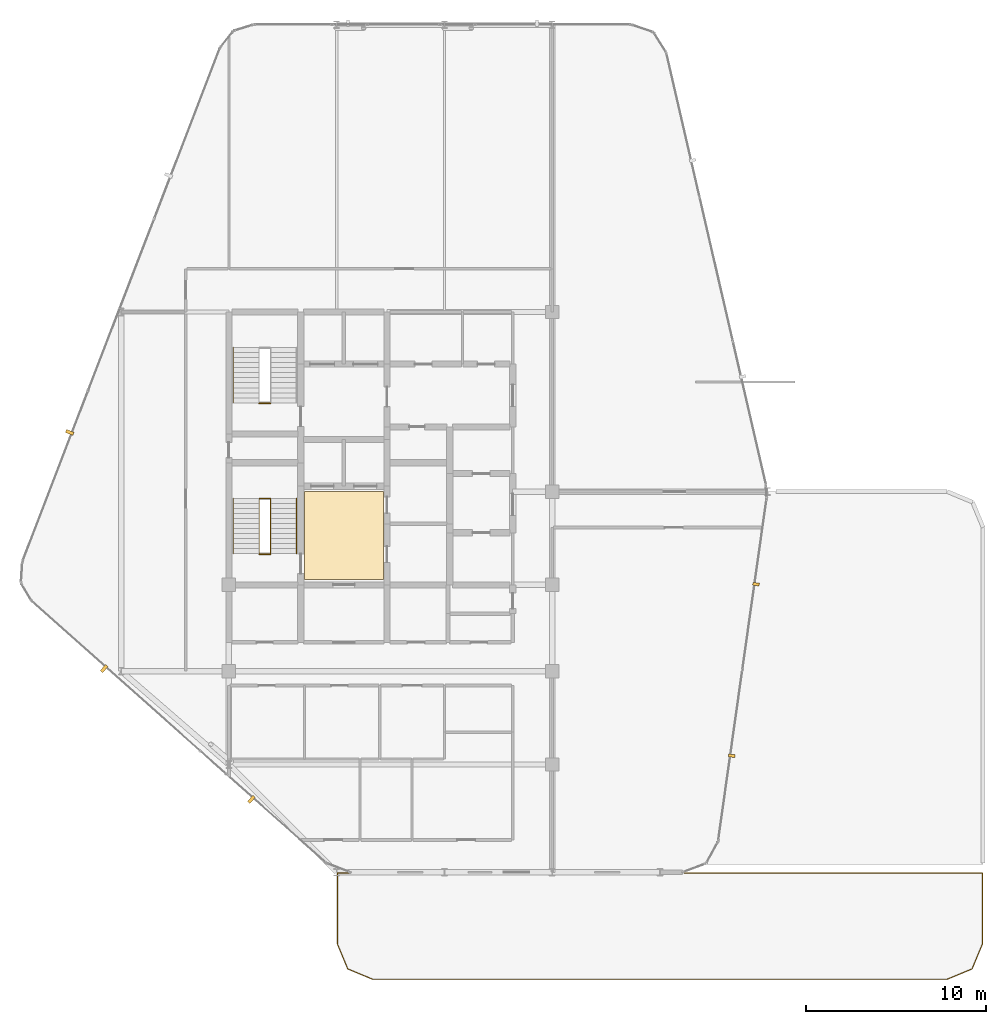
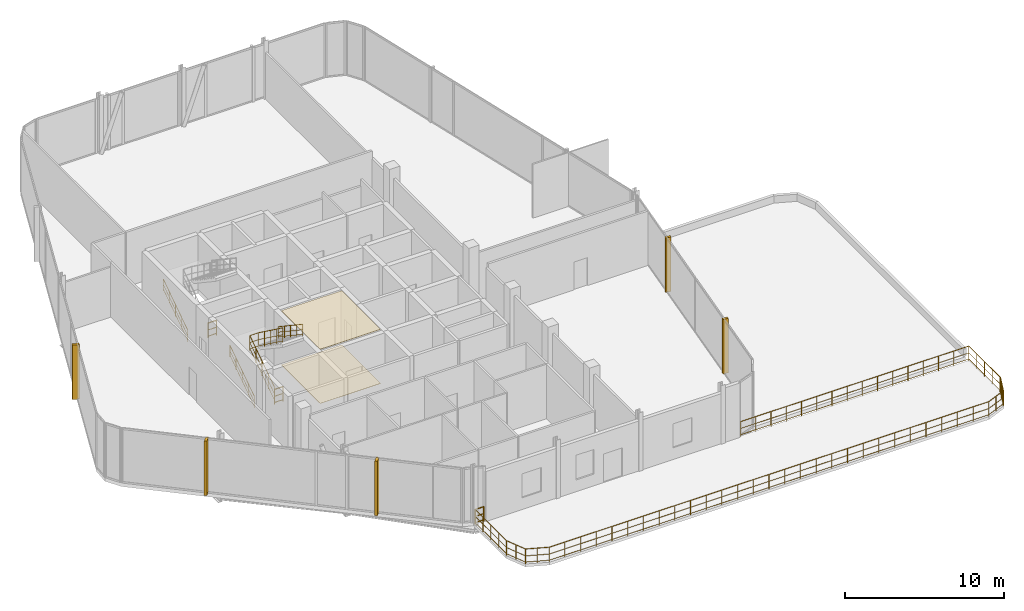
# One storey, part 23 of 24: 15 railings, 7 coverings.
"""IFC4 building model written with IfcOpenShell, lengths in metres."""

from ifc_helpers import new_model, si_unit, direction, frame, origin, origin_2d, place, context, subcontext, project, spatial, polyline, rectangle, circle, outline, extrude, material, layer, layer_set, type_object, element, save


model = new_model("IFC4")

# Units and contexts
model_context = context("Model", 3, precision=1e-05, world=origin(), true_north=direction((0.0, 1.0)))
body_context = subcontext(model_context, "Body", "Model", "MODEL_VIEW")
ifc_project = project(units=[si_unit("LENGTHUNIT", "METRE"), si_unit("AREAUNIT", "SQUARE_METRE"), si_unit("VOLUMEUNIT", "CUBIC_METRE"), si_unit("PLANEANGLEUNIT", "RADIAN"), si_unit("MASSUNIT", "GRAM", prefix="KILO")], contexts=[model_context])

# Site, building, storey
site_placement = place(None, origin())
site = spatial("IfcSite", under=ifc_project, at=site_placement, CompositionType="ELEMENT")
building_placement = place(site_placement, origin())
building = spatial("IfcBuilding", under=site, at=building_placement, Name="Keshet Zoharim Tower", CompositionType="ELEMENT")
storey_placement = place(building_placement, frame((0.0, 0.0, 242.800048828125)))
storey = spatial("IfcBuildingStorey", under=building, at=storey_placement, Name="L60", CompositionType="ELEMENT", Elevation=242.800048828125)

# Coverings
ifc_material_1 = material(Name="Gypsum Plasterboard", Category="gypsum")
ifc_layer_1 = layer(ifc_material_1, 0.02490234375)
ifc_layer_set_1 = layer_set([ifc_layer_1], Name="Gypsum Plasterboard")
covering_type_1 = type_object("IfcCoveringType", Name="CV-CLG-025", PredefinedType="CEILING", material=ifc_layer_set_1)
covering_1_placement = place(storey_placement, frame((0.0, 0.0, 4.1650390625)))
element("IfcCovering", 1, at=covering_1_placement, inside=storey, type_object=covering_type_1, Name="L60 Core Lobby Acoustic Ceiling", PredefinedType="CEILING", context=body_context, shape_type="SweptSolid", body=[
    extrude(outline(polyline([(19.199951171875, 23.0), (23.60009765625, 23.0), (23.60009765625, 27.89990234375), (19.199951171875, 27.89990234375), (19.199951171875, 23.0)])), origin(), (0.0, 0.0, 1.0), 0.02490234375),
])
ifc_material_2 = material(Name="Porcelain Ceramic Tile", Category="ceramic")
ifc_layer_2 = layer(ifc_material_2, 0.02001953125)
ifc_layer_set_2 = layer_set([ifc_layer_2], Name="Porcelain Ceramic Tile")
covering_type_2 = type_object("IfcCoveringType", Name="CV-FLR-020", PredefinedType="FLOORING", material=ifc_layer_set_2)
covering_2_placement = place(storey_placement, origin())
element("IfcCovering", 2, at=covering_2_placement, inside=storey, type_object=covering_type_2, Name="L60 Core Lobby Porcelain Flooring", PredefinedType="FLOORING", context=body_context, shape_type="SweptSolid", body=[
    extrude(outline(polyline([(19.199951171875, 23.0), (23.60009765625, 23.0), (23.60009765625, 27.89990234375), (19.199951171875, 27.89990234375), (19.199951171875, 23.0)])), origin(), (0.0, 0.0, 1.0), 0.02001953125),
])
ifc_material_3 = material(Name="Concrete C50/60 precast", Category="concrete")
covering_type_3 = type_object("IfcCoveringType", Name="FIN-SOL-360", PredefinedType="CLADDING", material=ifc_material_3)
for number, where, z_axis, x_axis, name in (
    (3, (44.35107421875, 22.742919921875, 0.0), (0.0, 0.0, 1.0), (-0.140137464177, -0.990132057422, 0.0), "L60 Vertical Precast Solar Fin 07"),
    (4, (42.998046875, 13.18701171875, 0.0), (0.0, 0.0, 1.0), (-0.140137464177, -0.990132057422, 0.0), "L60 Vertical Precast Solar Fin 08"),
):
    element("IfcCovering", number, at=place(storey_placement, frame(where, z_axis=z_axis, x_axis=x_axis)), inside=storey, type_object=covering_type_3, Name=name, PredefinedType="CLADDING", context=body_context, shape_type="SweptSolid", body=[
        extrude(rectangle(XDim=0.159912109375, YDim=0.360107421875, at=origin_2d()), origin(), (0.0, 0.0, 1.0), 4.18994140625),
    ])
covering_type_4 = type_object("IfcCoveringType", Name="FIN-SOL-450", PredefinedType="CLADDING", material=ifc_material_3)
for number, where, z_axis, x_axis, name in (
    (5, (6.133056640625, 31.194091796875, 0.0), (0.0, 0.0, 1.0), (0.358990003907, 0.933341404361, 0.0), "L60 Vertical Precast Solar Fin 01"),
    (6, (16.25, 10.7548828125, 0.0), (0.0, 0.0, 1.0), (-0.747411833563, 0.66436100958, 0.0), "L60 Vertical Precast Solar Fin 09"),
    (7, (8.051025390625, 18.04296875, 0.0), (0.0, 0.0, 1.0), (-0.747411833563, 0.66436100958, 0.0), "L60 Vertical Precast Solar Fin 10"),
):
    element("IfcCovering", number, at=place(storey_placement, frame(where, z_axis=z_axis, x_axis=x_axis)), inside=storey, type_object=covering_type_4, Name=name, PredefinedType="CLADDING", context=body_context, shape_type="SweptSolid", body=[
        extrude(rectangle(XDim=0.179931640625, YDim=0.449951171875, at=origin_2d()), origin(), (0.0, 0.0, 1.0), 4.18994140625),
    ])

# Railings
ifc_material_4 = material(Name="Steel S355", Category="steel")
ifc_layer_3 = layer(ifc_material_4, 0.050048828125)
ifc_layer_set_3 = layer_set([ifc_layer_3], Name="Steel S355")
railing_type_1 = type_object("IfcRailingType", Name="RL-HND-092", PredefinedType="HANDRAIL", material=ifc_layer_set_3)
railing_1_placement = place(storey_placement, frame((15.239990234375, 24.43994140625, 0.1875)))
element("IfcRailing", 8, at=railing_1_placement, inside=storey, type_object=railing_type_1, Name="L60 ST-01 Flight 1 Wall Handrail", PredefinedType="HANDRAIL", context=body_context, shape_type="SweptSolid", body=[
    extrude(circle(Radius=0.02392578125, at=origin_2d()), frame((0.0, 0.0, 0.89599609375), z_axis=(0.0, 0.830913701846, 0.55640131208), x_axis=(-1.0, 0.0, 0.0)), (0.0, 0.0, 1.0), 3.706787109375),
    extrude(circle(Radius=0.01611328125, at=origin_2d()), frame((0.0, 0.0, 0.478271484375), z_axis=(0.0, 0.830913701846, 0.55640131208), x_axis=(-1.0, 0.0, 0.0)), (0.0, 0.0, 1.0), 3.706787109375),
    extrude(circle(Radius=0.01611328125, at=origin_2d()), frame((0.0, 0.0, 0.1201171875), z_axis=(0.0, 0.830913701846, 0.55640131208), x_axis=(-1.0, 0.0, 0.0)), (0.0, 0.0, 1.0), 3.706787109375),
    extrude(circle(Radius=0.02099609375, at=origin_2d()), origin(), (0.0, 0.0, 1.0), 0.871826171875),
    extrude(circle(Radius=0.02099609375, at=origin_2d()), frame((0.0, 0.77001953125, 0.515625)), (0.0, 0.0, 1.0), 0.871826171875),
    extrude(circle(Radius=0.02099609375, at=origin_2d()), frame((0.0, 1.5400390625, 1.03125)), (0.0, 0.0, 1.0), 0.871826171875),
    extrude(circle(Radius=0.02099609375, at=origin_2d()), frame((0.0, 2.31005859375, 1.546875)), (0.0, 0.0, 1.0), 0.871826171875),
    extrude(circle(Radius=0.02099609375, at=origin_2d()), frame((0.0, 3.080078125, 2.0625)), (0.0, 0.0, 1.0), 0.871826171875),
])
railing_2_placement = place(storey_placement, frame((18.760009765625, 27.52001953125, 2.4375)))
element("IfcRailing", 9, at=railing_2_placement, inside=storey, type_object=railing_type_1, Name="L60 ST-01 Flight 2 Wall Handrail", PredefinedType="HANDRAIL", context=body_context, shape_type="SweptSolid", body=[
    extrude(circle(Radius=0.02392578125, at=origin_2d()), frame((0.0, 0.0, 0.89599609375), z_axis=(0.0, -0.830913701846, 0.55640131208), x_axis=(1.0, 0.0, 0.0)), (0.0, 0.0, 1.0), 3.706787109375),
    extrude(circle(Radius=0.01611328125, at=origin_2d()), frame((0.0, 0.0, 0.478271484375), z_axis=(0.0, -0.830913701846, 0.55640131208), x_axis=(1.0, 0.0, 0.0)), (0.0, 0.0, 1.0), 3.706787109375),
    extrude(circle(Radius=0.01611328125, at=origin_2d()), frame((0.0, 0.0, 0.1201171875), z_axis=(0.0, -0.830913701846, 0.55640131208), x_axis=(1.0, 0.0, 0.0)), (0.0, 0.0, 1.0), 3.706787109375),
    extrude(circle(Radius=0.02099609375, at=origin_2d()), origin(), (0.0, 0.0, 1.0), 0.871826171875),
    extrude(circle(Radius=0.02099609375, at=origin_2d()), frame((0.0, -0.77001953125, 0.515625)), (0.0, 0.0, 1.0), 0.871826171875),
    extrude(circle(Radius=0.02099609375, at=origin_2d()), frame((0.0, -1.5400390625, 1.03125)), (0.0, 0.0, 1.0), 0.871826171875),
    extrude(circle(Radius=0.02099609375, at=origin_2d()), frame((0.0, -2.31005859375, 1.546875)), (0.0, 0.0, 1.0), 0.871826171875),
    extrude(circle(Radius=0.02099609375, at=origin_2d()), frame((0.0, -3.080078125, 2.0625)), (0.0, 0.0, 1.0), 0.871826171875),
])
railing_3_placement = place(storey_placement, frame((15.239990234375, 32.840087890625, 0.1875)))
element("IfcRailing", 10, at=railing_3_placement, inside=storey, type_object=railing_type_1, Name="L60 ST-02 Flight 1 Wall Handrail", PredefinedType="HANDRAIL", context=body_context, shape_type="SweptSolid", body=[
    extrude(circle(Radius=0.02392578125, at=origin_2d()), frame((0.0, 0.0, 0.89599609375), z_axis=(0.0, 0.830893310487, 0.556431762742), x_axis=(-1.0, 0.0, 0.0)), (0.0, 0.0, 1.0), 3.70654296875),
    extrude(circle(Radius=0.01611328125, at=origin_2d()), frame((0.0, 0.0, 0.478271484375), z_axis=(0.0, 0.830893310487, 0.556431762742), x_axis=(-1.0, 0.0, 0.0)), (0.0, 0.0, 1.0), 3.70654296875),
    extrude(circle(Radius=0.01611328125, at=origin_2d()), frame((0.0, 0.0, 0.1201171875), z_axis=(0.0, 0.830893310487, 0.556431762742), x_axis=(-1.0, 0.0, 0.0)), (0.0, 0.0, 1.0), 3.70654296875),
    extrude(circle(Radius=0.02099609375, at=origin_2d()), origin(), (0.0, 0.0, 1.0), 0.871826171875),
    extrude(circle(Radius=0.02099609375, at=origin_2d()), frame((0.0, 0.77001953125, 0.515625)), (0.0, 0.0, 1.0), 0.871826171875),
    extrude(circle(Radius=0.02099609375, at=origin_2d()), frame((0.0, 1.5400390625, 1.03125)), (0.0, 0.0, 1.0), 0.871826171875),
    extrude(circle(Radius=0.02099609375, at=origin_2d()), frame((0.0, 2.309814453125, 1.546875)), (0.0, 0.0, 1.0), 0.871826171875),
    extrude(circle(Radius=0.02099609375, at=origin_2d()), frame((0.0, 3.079833984375, 2.0625)), (0.0, 0.0, 1.0), 0.871826171875),
])
ifc_layer_4 = layer(ifc_material_4, 0.06005859375)
ifc_layer_set_4 = layer_set([ifc_layer_4], Name="Steel S355")
railing_type_2 = type_object("IfcRailingType", Name="RL-STG-115", PredefinedType="GUARDRAIL", material=ifc_layer_set_4)
railing_4_placement = place(storey_placement, frame((16.68994140625, 24.43994140625, 0.1875)))
element("IfcRailing", 11, at=railing_4_placement, inside=storey, type_object=railing_type_2, Name="L60 ST-01 Inner Well Guardrail", PredefinedType="GUARDRAIL", context=body_context, shape_type="SweptSolid", body=[
    extrude(circle(Radius=0.02392578125, at=origin_2d()), frame((0.0, 0.0, 1.1259765625), z_axis=(0.0, 0.830913701846, 0.55640131208), x_axis=(-1.0, 0.0, 0.0)), (0.0, 0.0, 1.0), 3.706787109375),
    extrude(circle(Radius=0.01611328125, at=origin_2d()), frame((0.0, 0.0, 0.597900390625), z_axis=(0.0, 0.830913701846, 0.55640131208), x_axis=(-1.0, 0.0, 0.0)), (0.0, 0.0, 1.0), 3.706787109375),
    extrude(circle(Radius=0.01611328125, at=origin_2d()), frame((0.0, 0.0, 0.1201171875), z_axis=(0.0, 0.830913701846, 0.55640131208), x_axis=(-1.0, 0.0, 0.0)), (0.0, 0.0, 1.0), 3.706787109375),
    extrude(circle(Radius=0.02392578125, at=origin_2d()), frame((0.0, 3.080078125, 3.1884765625), z_axis=(1.0, 0.0, 0.0), x_axis=(0.0, 1.0, 0.0)), (0.0, 0.0, 1.0), 0.6201171875),
    extrude(circle(Radius=0.01611328125, at=origin_2d()), frame((0.0, 3.080078125, 2.660400390625), z_axis=(1.0, 0.0, 0.0), x_axis=(0.0, 1.0, 0.0)), (0.0, 0.0, 1.0), 0.6201171875),
    extrude(circle(Radius=0.01611328125, at=origin_2d()), frame((0.0, 3.080078125, 2.1826171875), z_axis=(1.0, 0.0, 0.0), x_axis=(0.0, 1.0, 0.0)), (0.0, 0.0, 1.0), 0.6201171875),
    extrude(circle(Radius=0.02392578125, at=origin_2d()), frame((0.6201171875, 3.080078125, 3.1884765625), z_axis=(0.0, -0.807494308864, 0.589875360692), x_axis=(1.0, 0.0, 0.0)), (0.0, 0.0, 1.0), 3.814453125),
    extrude(circle(Radius=0.01611328125, at=origin_2d()), frame((0.6201171875, 3.080078125, 2.660400390625), z_axis=(0.0, -0.807494308864, 0.589875360692), x_axis=(1.0, 0.0, 0.0)), (0.0, 0.0, 1.0), 3.814453125),
    extrude(circle(Radius=0.01611328125, at=origin_2d()), frame((0.6201171875, 3.080078125, 2.1826171875), z_axis=(0.0, -0.807494308864, 0.589875360692), x_axis=(1.0, 0.0, 0.0)), (0.0, 0.0, 1.0), 3.814453125),
    extrude(circle(Radius=0.02099609375, at=origin_2d()), origin(), (0.0, 0.0, 1.0), 1.101806640625),
    extrude(circle(Radius=0.02099609375, at=origin_2d()), frame((0.0, 0.77001953125, 0.515625)), (0.0, 0.0, 1.0), 1.101806640625),
    extrude(circle(Radius=0.02099609375, at=origin_2d()), frame((0.0, 1.5400390625, 1.03125)), (0.0, 0.0, 1.0), 1.101806640625),
    extrude(circle(Radius=0.02099609375, at=origin_2d()), frame((0.0, 2.31005859375, 1.546875)), (0.0, 0.0, 1.0), 1.101806640625),
    extrude(circle(Radius=0.02099609375, at=origin_2d()), frame((0.0, 3.080078125, 2.0625)), (0.0, 0.0, 1.0), 1.101806640625),
    extrude(circle(Radius=0.02099609375, at=origin_2d()), frame((0.6201171875, 3.080078125, 2.0625)), (0.0, 0.0, 1.0), 1.101806640625),
    extrude(circle(Radius=0.02099609375, at=origin_2d()), frame((0.6201171875, 2.31005859375, 2.625)), (0.0, 0.0, 1.0), 1.101806640625),
    extrude(circle(Radius=0.02099609375, at=origin_2d()), frame((0.6201171875, 1.5400390625, 3.1875)), (0.0, 0.0, 1.0), 1.101806640625),
    extrude(circle(Radius=0.02099609375, at=origin_2d()), frame((0.6201171875, 0.77001953125, 3.75)), (0.0, 0.0, 1.0), 1.101806640625),
    extrude(circle(Radius=0.02099609375, at=origin_2d()), frame((0.6201171875, 0.0, 4.3125)), (0.0, 0.0, 1.0), 1.101806640625),
])
for number, where, name in (
    (12, (16.68994140625, 24.409912109375, 0.0), "L60 ST-01 Stairwell Floor Guardrail"),
    (13, (16.68994140625, 32.81005859375, 0.0), "L60 ST-02 Stairwell Floor Guardrail"),
):
    element("IfcRailing", number, at=place(storey_placement, frame(where)), inside=storey, type_object=railing_type_2, Name=name, PredefinedType="GUARDRAIL", context=body_context, shape_type="SweptSolid", body=[
        extrude(circle(Radius=0.02392578125, at=origin_2d()), frame((0.0, 0.0, 1.1259765625), z_axis=(1.0, 0.0, 0.0), x_axis=(0.0, 1.0, 0.0)), (0.0, 0.0, 1.0), 0.6201171875),
        extrude(circle(Radius=0.01611328125, at=origin_2d()), frame((0.0, 0.0, 0.597900390625), z_axis=(1.0, 0.0, 0.0), x_axis=(0.0, 1.0, 0.0)), (0.0, 0.0, 1.0), 0.6201171875),
        extrude(circle(Radius=0.01611328125, at=origin_2d()), frame((0.0, 0.0, 0.1201171875), z_axis=(1.0, 0.0, 0.0), x_axis=(0.0, 1.0, 0.0)), (0.0, 0.0, 1.0), 0.6201171875),
        extrude(circle(Radius=0.02099609375, at=origin_2d()), origin(), (0.0, 0.0, 1.0), 1.101806640625),
        extrude(circle(Radius=0.02099609375, at=origin_2d()), frame((0.6201171875, 0.0, 0.0)), (0.0, 0.0, 1.0), 1.101806640625),
    ])
ifc_layer_5 = layer(ifc_material_4, 0.070068359375)
ifc_layer_set_5 = layer_set([ifc_layer_5], Name="Steel S355")
railing_type_3 = type_object("IfcRailingType", Name="RL-TER-115", PredefinedType="GUARDRAIL", material=ifc_layer_set_5)
railing_5_placement = place(storey_placement, frame((56.9599609375, 6.659912109375, 0.0)))
element("IfcRailing", 14, at=railing_5_placement, inside=storey, type_object=railing_type_3, Name="L60 Terrace Perimeter Guardrail 01", PredefinedType="GUARDRAIL", context=body_context, shape_type="SweptSolid", body=[
    extrude(circle(Radius=0.02392578125, at=origin_2d()), frame((0.0, 0.0, 1.1259765625), z_axis=(0.0, -1.0, 0.0), x_axis=(1.0, 0.0, 0.0)), (0.0, 0.0, 1.0), 3.951904296875),
    extrude(circle(Radius=0.01611328125, at=origin_2d()), frame((0.0, 0.0, 0.597900390625), z_axis=(0.0, -1.0, 0.0), x_axis=(1.0, 0.0, 0.0)), (0.0, 0.0, 1.0), 3.951904296875),
    extrude(circle(Radius=0.01611328125, at=origin_2d()), frame((0.0, 0.0, 0.1201171875), z_axis=(0.0, -1.0, 0.0), x_axis=(1.0, 0.0, 0.0)), (0.0, 0.0, 1.0), 3.951904296875),
    extrude(circle(Radius=0.02099609375, at=origin_2d()), origin(), (0.0, 0.0, 1.0), 1.101806640625),
    extrude(circle(Radius=0.02099609375, at=origin_2d()), frame((0.0, -0.988037109375, 0.0)), (0.0, 0.0, 1.0), 1.101806640625),
    extrude(circle(Radius=0.02099609375, at=origin_2d()), frame((0.0, -1.97607421875, 0.0)), (0.0, 0.0, 1.0), 1.101806640625),
    extrude(circle(Radius=0.02099609375, at=origin_2d()), frame((0.0, -2.9638671875, 0.0)), (0.0, 0.0, 1.0), 1.101806640625),
    extrude(circle(Radius=0.02099609375, at=origin_2d()), frame((0.0, -3.951904296875, 0.0)), (0.0, 0.0, 1.0), 1.101806640625),
])
railing_6_placement = place(storey_placement, frame((56.9599609375, 2.7080078125, 0.0)))
element("IfcRailing", 15, at=railing_6_placement, inside=storey, type_object=railing_type_3, Name="L60 Terrace Perimeter Guardrail 02", PredefinedType="GUARDRAIL", context=body_context, shape_type="SweptSolid", body=[
    extrude(circle(Radius=0.02392578125, at=origin_2d()), frame((0.0, 0.0, 1.1259765625), z_axis=(-0.383072378598, -0.923718329771, 0.0), x_axis=(0.923718329771, -0.383072378598, 0.0)), (0.0, 0.0, 1.0), 1.506103515625),
    extrude(circle(Radius=0.01611328125, at=origin_2d()), frame((0.0, 0.0, 0.597900390625), z_axis=(-0.383072378598, -0.923718329771, 0.0), x_axis=(0.923718329771, -0.383072378598, 0.0)), (0.0, 0.0, 1.0), 1.506103515625),
    extrude(circle(Radius=0.01611328125, at=origin_2d()), frame((0.0, 0.0, 0.1201171875), z_axis=(-0.383072378598, -0.923718329771, 0.0), x_axis=(0.923718329771, -0.383072378598, 0.0)), (0.0, 0.0, 1.0), 1.506103515625),
    extrude(circle(Radius=0.02099609375, at=origin_2d()), origin(), (0.0, 0.0, 1.0), 1.101806640625),
    extrude(circle(Radius=0.02099609375, at=origin_2d()), frame((-0.28857421875, -0.695556640625, 0.0)), (0.0, 0.0, 1.0), 1.101806640625),
    extrude(circle(Radius=0.02099609375, at=origin_2d()), frame((-0.576904296875, -1.39111328125, 0.0)), (0.0, 0.0, 1.0), 1.101806640625),
])
railing_7_placement = place(storey_placement, frame((56.383056640625, 1.31689453125, 0.0)))
element("IfcRailing", 16, at=railing_7_placement, inside=storey, type_object=railing_type_3, Name="L60 Terrace Perimeter Guardrail 03", PredefinedType="GUARDRAIL", context=body_context, shape_type="SweptSolid", body=[
    extrude(circle(Radius=0.02392578125, at=origin_2d()), frame((0.0, 0.0, 1.1259765625), z_axis=(-0.923718329771, -0.383072378598, 0.0), x_axis=(0.383072378598, -0.923718329771, 0.0)), (0.0, 0.0, 1.0), 1.506103515625),
    extrude(circle(Radius=0.01611328125, at=origin_2d()), frame((0.0, 0.0, 0.597900390625), z_axis=(-0.923718329771, -0.383072378598, 0.0), x_axis=(0.383072378598, -0.923718329771, 0.0)), (0.0, 0.0, 1.0), 1.506103515625),
    extrude(circle(Radius=0.01611328125, at=origin_2d()), frame((0.0, 0.0, 0.1201171875), z_axis=(-0.923718329771, -0.383072378598, 0.0), x_axis=(0.383072378598, -0.923718329771, 0.0)), (0.0, 0.0, 1.0), 1.506103515625),
    extrude(circle(Radius=0.02099609375, at=origin_2d()), origin(), (0.0, 0.0, 1.0), 1.101806640625),
    extrude(circle(Radius=0.02099609375, at=origin_2d()), frame((-0.695556640625, -0.28857421875, 0.0)), (0.0, 0.0, 1.0), 1.101806640625),
    extrude(circle(Radius=0.02099609375, at=origin_2d()), frame((-1.39111328125, -0.576904296875, 0.0)), (0.0, 0.0, 1.0), 1.101806640625),
])
railing_8_placement = place(storey_placement, frame((54.991943359375, 0.739990234375, 0.0)))
element("IfcRailing", 17, at=railing_8_placement, inside=storey, type_object=railing_type_3, Name="L60 Terrace Perimeter Guardrail 04", PredefinedType="GUARDRAIL", context=body_context, shape_type="SweptSolid", body=[
    extrude(circle(Radius=0.02392578125, at=origin_2d()), frame((0.0, 0.0, 1.1259765625), z_axis=(-1.0, 0.0, 0.0), x_axis=(0.0, -1.0, 0.0)), (0.0, 0.0, 1.0), 31.98388671875),
    extrude(circle(Radius=0.01611328125, at=origin_2d()), frame((0.0, 0.0, 0.597900390625), z_axis=(-1.0, 0.0, 0.0), x_axis=(0.0, -1.0, 0.0)), (0.0, 0.0, 1.0), 31.98388671875),
    extrude(circle(Radius=0.01611328125, at=origin_2d()), frame((0.0, 0.0, 0.1201171875), z_axis=(-1.0, 0.0, 0.0), x_axis=(0.0, -1.0, 0.0)), (0.0, 0.0, 1.0), 31.98388671875),
    extrude(circle(Radius=0.02099609375, at=origin_2d()), origin(), (0.0, 0.0, 1.0), 1.101806640625),
    extrude(circle(Radius=0.02099609375, at=origin_2d()), frame((-1.142333984375, 0.0, 0.0)), (0.0, 0.0, 1.0), 1.101806640625),
    extrude(circle(Radius=0.02099609375, at=origin_2d()), frame((-2.28466796875, 0.0, 0.0)), (0.0, 0.0, 1.0), 1.101806640625),
    extrude(circle(Radius=0.02099609375, at=origin_2d()), frame((-3.4267578125, 0.0, 0.0)), (0.0, 0.0, 1.0), 1.101806640625),
    extrude(circle(Radius=0.02099609375, at=origin_2d()), frame((-4.569091796875, 0.0, 0.0)), (0.0, 0.0, 1.0), 1.101806640625),
    extrude(circle(Radius=0.02099609375, at=origin_2d()), frame((-5.71142578125, 0.0, 0.0)), (0.0, 0.0, 1.0), 1.101806640625),
    extrude(circle(Radius=0.02099609375, at=origin_2d()), frame((-6.853759765625, 0.0, 0.0)), (0.0, 0.0, 1.0), 1.101806640625),
    extrude(circle(Radius=0.02099609375, at=origin_2d()), frame((-7.99609375, 0.0, 0.0)), (0.0, 0.0, 1.0), 1.101806640625),
    extrude(circle(Radius=0.02099609375, at=origin_2d()), frame((-9.13818359375, 0.0, 0.0)), (0.0, 0.0, 1.0), 1.101806640625),
    extrude(circle(Radius=0.02099609375, at=origin_2d()), frame((-10.280517578125, 0.0, 0.0)), (0.0, 0.0, 1.0), 1.101806640625),
    extrude(circle(Radius=0.02099609375, at=origin_2d()), frame((-11.4228515625, 0.0, 0.0)), (0.0, 0.0, 1.0), 1.101806640625),
    extrude(circle(Radius=0.02099609375, at=origin_2d()), frame((-12.565185546875, 0.0, 0.0)), (0.0, 0.0, 1.0), 1.101806640625),
    extrude(circle(Radius=0.02099609375, at=origin_2d()), frame((-13.707275390625, 0.0, 0.0)), (0.0, 0.0, 1.0), 1.101806640625),
    extrude(circle(Radius=0.02099609375, at=origin_2d()), frame((-14.849609375, 0.0, 0.0)), (0.0, 0.0, 1.0), 1.101806640625),
    extrude(circle(Radius=0.02099609375, at=origin_2d()), frame((-15.991943359375, 0.0, 0.0)), (0.0, 0.0, 1.0), 1.101806640625),
    extrude(circle(Radius=0.02099609375, at=origin_2d()), frame((-17.13427734375, 0.0, 0.0)), (0.0, 0.0, 1.0), 1.101806640625),
    extrude(circle(Radius=0.02099609375, at=origin_2d()), frame((-18.276611328125, 0.0, 0.0)), (0.0, 0.0, 1.0), 1.101806640625),
    extrude(circle(Radius=0.02099609375, at=origin_2d()), frame((-19.418701171875, 0.0, 0.0)), (0.0, 0.0, 1.0), 1.101806640625),
    extrude(circle(Radius=0.02099609375, at=origin_2d()), frame((-20.56103515625, 0.0, 0.0)), (0.0, 0.0, 1.0), 1.101806640625),
    extrude(circle(Radius=0.02099609375, at=origin_2d()), frame((-21.703369140625, 0.0, 0.0)), (0.0, 0.0, 1.0), 1.101806640625),
    extrude(circle(Radius=0.02099609375, at=origin_2d()), frame((-22.845703125, 0.0, 0.0)), (0.0, 0.0, 1.0), 1.101806640625),
    extrude(circle(Radius=0.02099609375, at=origin_2d()), frame((-23.98779296875, 0.0, 0.0)), (0.0, 0.0, 1.0), 1.101806640625),
    extrude(circle(Radius=0.02099609375, at=origin_2d()), frame((-25.130126953125, 0.0, 0.0)), (0.0, 0.0, 1.0), 1.101806640625),
    extrude(circle(Radius=0.02099609375, at=origin_2d()), frame((-26.2724609375, 0.0, 0.0)), (0.0, 0.0, 1.0), 1.101806640625),
    extrude(circle(Radius=0.02099609375, at=origin_2d()), frame((-27.414794921875, 0.0, 0.0)), (0.0, 0.0, 1.0), 1.101806640625),
    extrude(circle(Radius=0.02099609375, at=origin_2d()), frame((-28.55712890625, 0.0, 0.0)), (0.0, 0.0, 1.0), 1.101806640625),
    extrude(circle(Radius=0.02099609375, at=origin_2d()), frame((-29.69921875, 0.0, 0.0)), (0.0, 0.0, 1.0), 1.101806640625),
    extrude(circle(Radius=0.02099609375, at=origin_2d()), frame((-30.841552734375, 0.0, 0.0)), (0.0, 0.0, 1.0), 1.101806640625),
    extrude(circle(Radius=0.02099609375, at=origin_2d()), frame((-31.98388671875, 0.0, 0.0)), (0.0, 0.0, 1.0), 1.101806640625),
])
railing_9_placement = place(storey_placement, frame((23.008056640625, 0.739990234375, 0.0)))
element("IfcRailing", 18, at=railing_9_placement, inside=storey, type_object=railing_type_3, Name="L60 Terrace Perimeter Guardrail 05", PredefinedType="GUARDRAIL", context=body_context, shape_type="SweptSolid", body=[
    extrude(circle(Radius=0.02392578125, at=origin_2d()), frame((0.0, 0.0, 1.1259765625), z_axis=(-0.923718329771, 0.383072378598, 0.0), x_axis=(-0.383072378598, -0.923718329771, 0.0)), (0.0, 0.0, 1.0), 1.506103515625),
    extrude(circle(Radius=0.01611328125, at=origin_2d()), frame((0.0, 0.0, 0.597900390625), z_axis=(-0.923718329771, 0.383072378598, 0.0), x_axis=(-0.383072378598, -0.923718329771, 0.0)), (0.0, 0.0, 1.0), 1.506103515625),
    extrude(circle(Radius=0.01611328125, at=origin_2d()), frame((0.0, 0.0, 0.1201171875), z_axis=(-0.923718329771, 0.383072378598, 0.0), x_axis=(-0.383072378598, -0.923718329771, 0.0)), (0.0, 0.0, 1.0), 1.506103515625),
    extrude(circle(Radius=0.02099609375, at=origin_2d()), origin(), (0.0, 0.0, 1.0), 1.101806640625),
    extrude(circle(Radius=0.02099609375, at=origin_2d()), frame((-0.695556640625, 0.28857421875, 0.0)), (0.0, 0.0, 1.0), 1.101806640625),
    extrude(circle(Radius=0.02099609375, at=origin_2d()), frame((-1.39111328125, 0.576904296875, 0.0)), (0.0, 0.0, 1.0), 1.101806640625),
])
railing_10_placement = place(storey_placement, frame((21.616943359375, 1.31689453125, 0.0)))
element("IfcRailing", 19, at=railing_10_placement, inside=storey, type_object=railing_type_3, Name="L60 Terrace Perimeter Guardrail 06", PredefinedType="GUARDRAIL", context=body_context, shape_type="SweptSolid", body=[
    extrude(circle(Radius=0.02392578125, at=origin_2d()), frame((0.0, 0.0, 1.1259765625), z_axis=(-0.383072378598, 0.923718329771, 0.0), x_axis=(-0.923718329771, -0.383072378598, 0.0)), (0.0, 0.0, 1.0), 1.506103515625),
    extrude(circle(Radius=0.01611328125, at=origin_2d()), frame((0.0, 0.0, 0.597900390625), z_axis=(-0.383072378598, 0.923718329771, 0.0), x_axis=(-0.923718329771, -0.383072378598, 0.0)), (0.0, 0.0, 1.0), 1.506103515625),
    extrude(circle(Radius=0.01611328125, at=origin_2d()), frame((0.0, 0.0, 0.1201171875), z_axis=(-0.383072378598, 0.923718329771, 0.0), x_axis=(-0.923718329771, -0.383072378598, 0.0)), (0.0, 0.0, 1.0), 1.506103515625),
    extrude(circle(Radius=0.02099609375, at=origin_2d()), origin(), (0.0, 0.0, 1.0), 1.101806640625),
    extrude(circle(Radius=0.02099609375, at=origin_2d()), frame((-0.28857421875, 0.695556640625, 0.0)), (0.0, 0.0, 1.0), 1.101806640625),
    extrude(circle(Radius=0.02099609375, at=origin_2d()), frame((-0.576904296875, 1.39111328125, 0.0)), (0.0, 0.0, 1.0), 1.101806640625),
])
railing_11_placement = place(storey_placement, frame((21.0400390625, 2.7080078125, 0.0)))
element("IfcRailing", 20, at=railing_11_placement, inside=storey, type_object=railing_type_3, Name="L60 Terrace Perimeter Guardrail 07", PredefinedType="GUARDRAIL", context=body_context, shape_type="SweptSolid", body=[
    extrude(circle(Radius=0.02392578125, at=origin_2d()), frame((0.0, 0.0, 1.1259765625), z_axis=(0.0, 1.0, 0.0), x_axis=(-1.0, 0.0, 0.0)), (0.0, 0.0, 1.0), 3.951904296875),
    extrude(circle(Radius=0.01611328125, at=origin_2d()), frame((0.0, 0.0, 0.597900390625), z_axis=(0.0, 1.0, 0.0), x_axis=(-1.0, 0.0, 0.0)), (0.0, 0.0, 1.0), 3.951904296875),
    extrude(circle(Radius=0.01611328125, at=origin_2d()), frame((0.0, 0.0, 0.1201171875), z_axis=(0.0, 1.0, 0.0), x_axis=(-1.0, 0.0, 0.0)), (0.0, 0.0, 1.0), 3.951904296875),
    extrude(circle(Radius=0.02099609375, at=origin_2d()), origin(), (0.0, 0.0, 1.0), 1.101806640625),
    extrude(circle(Radius=0.02099609375, at=origin_2d()), frame((0.0, 0.988037109375, 0.0)), (0.0, 0.0, 1.0), 1.101806640625),
    extrude(circle(Radius=0.02099609375, at=origin_2d()), frame((0.0, 1.97607421875, 0.0)), (0.0, 0.0, 1.0), 1.101806640625),
    extrude(circle(Radius=0.02099609375, at=origin_2d()), frame((0.0, 2.9638671875, 0.0)), (0.0, 0.0, 1.0), 1.101806640625),
    extrude(circle(Radius=0.02099609375, at=origin_2d()), frame((0.0, 3.951904296875, 0.0)), (0.0, 0.0, 1.0), 1.101806640625),
])
railing_12_placement = place(storey_placement, frame((21.0400390625, 6.659912109375, 0.0)))
element("IfcRailing", 21, at=railing_12_placement, inside=storey, type_object=railing_type_3, Name="L60 Terrace Perimeter Guardrail 08", PredefinedType="GUARDRAIL", context=body_context, shape_type="SweptSolid", body=[
    extrude(circle(Radius=0.02392578125, at=origin_2d()), frame((0.0, 0.0, 1.1259765625), z_axis=(1.0, 0.0, 0.0), x_axis=(0.0, 1.0, 0.0)), (0.0, 0.0, 1.0), 0.6279296875),
    extrude(circle(Radius=0.01611328125, at=origin_2d()), frame((0.0, 0.0, 0.597900390625), z_axis=(1.0, 0.0, 0.0), x_axis=(0.0, 1.0, 0.0)), (0.0, 0.0, 1.0), 0.6279296875),
    extrude(circle(Radius=0.01611328125, at=origin_2d()), frame((0.0, 0.0, 0.1201171875), z_axis=(1.0, 0.0, 0.0), x_axis=(0.0, 1.0, 0.0)), (0.0, 0.0, 1.0), 0.6279296875),
    extrude(circle(Radius=0.02099609375, at=origin_2d()), origin(), (0.0, 0.0, 1.0), 1.101806640625),
    extrude(circle(Radius=0.02099609375, at=origin_2d()), frame((0.6279296875, 0.0, 0.0)), (0.0, 0.0, 1.0), 1.101806640625),
])
railing_13_placement = place(storey_placement, frame((40.35595703125, 6.659912109375, 0.0)))
element("IfcRailing", 22, at=railing_13_placement, inside=storey, type_object=railing_type_3, Name="L60 Terrace Perimeter Guardrail 09", PredefinedType="GUARDRAIL", context=body_context, shape_type="SweptSolid", body=[
    extrude(circle(Radius=0.02392578125, at=origin_2d()), frame((0.0, 0.0, 1.1259765625), z_axis=(1.0, 0.0, 0.0), x_axis=(0.0, 1.0, 0.0)), (0.0, 0.0, 1.0), 16.60400390625),
    extrude(circle(Radius=0.01611328125, at=origin_2d()), frame((0.0, 0.0, 0.597900390625), z_axis=(1.0, 0.0, 0.0), x_axis=(0.0, 1.0, 0.0)), (0.0, 0.0, 1.0), 16.60400390625),
    extrude(circle(Radius=0.01611328125, at=origin_2d()), frame((0.0, 0.0, 0.1201171875), z_axis=(1.0, 0.0, 0.0), x_axis=(0.0, 1.0, 0.0)), (0.0, 0.0, 1.0), 16.60400390625),
    extrude(circle(Radius=0.02099609375, at=origin_2d()), origin(), (0.0, 0.0, 1.0), 1.101806640625),
    extrude(circle(Radius=0.02099609375, at=origin_2d()), frame((1.10693359375, 0.0, 0.0)), (0.0, 0.0, 1.0), 1.101806640625),
    extrude(circle(Radius=0.02099609375, at=origin_2d()), frame((2.2138671875, 0.0, 0.0)), (0.0, 0.0, 1.0), 1.101806640625),
    extrude(circle(Radius=0.02099609375, at=origin_2d()), frame((3.32080078125, 0.0, 0.0)), (0.0, 0.0, 1.0), 1.101806640625),
    extrude(circle(Radius=0.02099609375, at=origin_2d()), frame((4.427734375, 0.0, 0.0)), (0.0, 0.0, 1.0), 1.101806640625),
    extrude(circle(Radius=0.02099609375, at=origin_2d()), frame((5.53466796875, 0.0, 0.0)), (0.0, 0.0, 1.0), 1.101806640625),
    extrude(circle(Radius=0.02099609375, at=origin_2d()), frame((6.6416015625, 0.0, 0.0)), (0.0, 0.0, 1.0), 1.101806640625),
    extrude(circle(Radius=0.02099609375, at=origin_2d()), frame((7.74853515625, 0.0, 0.0)), (0.0, 0.0, 1.0), 1.101806640625),
    extrude(circle(Radius=0.02099609375, at=origin_2d()), frame((8.85546875, 0.0, 0.0)), (0.0, 0.0, 1.0), 1.101806640625),
    extrude(circle(Radius=0.02099609375, at=origin_2d()), frame((9.96240234375, 0.0, 0.0)), (0.0, 0.0, 1.0), 1.101806640625),
    extrude(circle(Radius=0.02099609375, at=origin_2d()), frame((11.0693359375, 0.0, 0.0)), (0.0, 0.0, 1.0), 1.101806640625),
    extrude(circle(Radius=0.02099609375, at=origin_2d()), frame((12.17626953125, 0.0, 0.0)), (0.0, 0.0, 1.0), 1.101806640625),
    extrude(circle(Radius=0.02099609375, at=origin_2d()), frame((13.283203125, 0.0, 0.0)), (0.0, 0.0, 1.0), 1.101806640625),
    extrude(circle(Radius=0.02099609375, at=origin_2d()), frame((14.39013671875, 0.0, 0.0)), (0.0, 0.0, 1.0), 1.101806640625),
    extrude(circle(Radius=0.02099609375, at=origin_2d()), frame((15.4970703125, 0.0, 0.0)), (0.0, 0.0, 1.0), 1.101806640625),
    extrude(circle(Radius=0.02099609375, at=origin_2d()), frame((16.60400390625, 0.0, 0.0)), (0.0, 0.0, 1.0), 1.101806640625),
])

save(model, "model.ifc")
